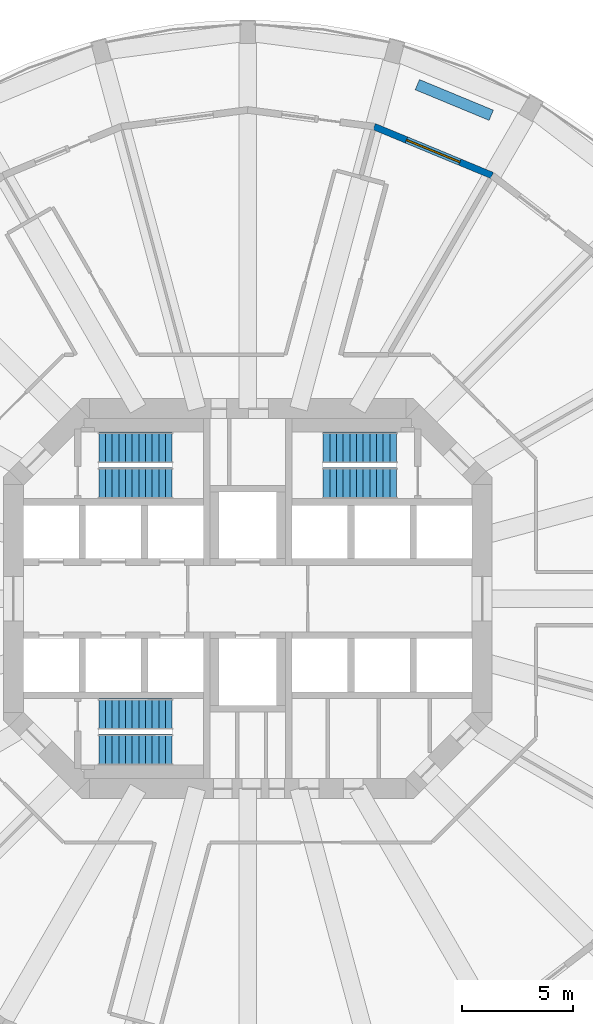
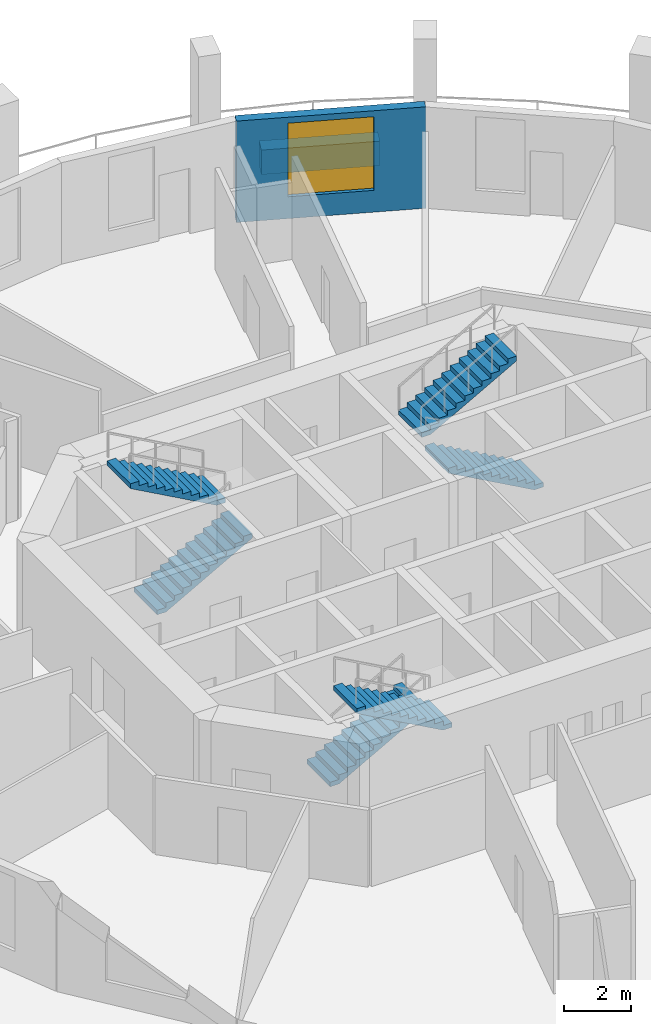
# One storey, part 7 of 9: 6 stair flights, 2 walls, 1 window, 1 opening, 3 elements without a shape of their own.
"""IFC4 building model written with IfcOpenShell, lengths in metres."""

from ifc_helpers import new_model, si_unit, direction, frame, frame_2d, origin, place, context, subcontext, project, spatial, polyline, rectangle, outline, extrude, material, layer, layer_set, type_object, element, fill, aggregate, save


model = new_model("IFC4")

# Units and contexts
model_context = context("Model", 3, precision=1e-05, world=origin(), true_north=direction((0.0, 1.0)))
body_context = subcontext(model_context, "Body", "Model", "MODEL_VIEW")
ifc_project = project(units=[si_unit("LENGTHUNIT", "METRE"), si_unit("AREAUNIT", "SQUARE_METRE"), si_unit("VOLUMEUNIT", "CUBIC_METRE"), si_unit("PLANEANGLEUNIT", "RADIAN"), si_unit("MASSUNIT", "GRAM", prefix="KILO")], contexts=[model_context])

# Site, building, storey
site_placement = place(None, origin())
site = spatial("IfcSite", under=ifc_project, at=site_placement, CompositionType="ELEMENT")
building_placement = place(site_placement, origin())
building = spatial("IfcBuilding", under=site, at=building_placement, Name="Torre Triforio", CompositionType="ELEMENT")
storey_placement = place(building_placement, frame((0.0, 0.0, 98.60009765625)))
storey = spatial("IfcBuildingStorey", under=building, at=storey_placement, Name="L21", CompositionType="ELEMENT", Elevation=98.60009765625)

# Wall
ifc_material_1 = material(Name="Limestone cladding", Category="masonry")
ifc_layer_1 = layer(ifc_material_1, 0.10009765625)
ifc_material_2 = material(Name="Concrete C40", Category="concrete")
ifc_layer_2 = layer(ifc_material_2, 0.39990234375)
ifc_layer_set_1 = layer_set([ifc_layer_1, ifc_layer_2], Name="Limestone cladding / Concrete C40")
wall_type_1 = type_object("IfcWallType", Name="Planter wall 500", PredefinedType="PARAPET", material=ifc_layer_set_1)
wall_1_placement = place(storey_placement, frame((10.962158203125, 21.761474609375, 0.0), z_axis=(0.0, 0.0, 1.0), x_axis=(-0.923875488976, 0.382693194178, 0.0)))
element("IfcWall", 1, at=wall_1_placement, inside=storey, type_object=wall_type_1, Name="Planter L21 bay 05", PredefinedType="PARAPET", context=body_context, shape_type="SweptSolid", body=[
    extrude(rectangle(XDim=3.599853515625, YDim=0.5, at=frame_2d((1.7998046875, 0.0))), origin(), (0.0, 0.0, 1.0), 0.89990234375),
])

# Wall, opening, window
ifc_layer_3 = layer(ifc_material_1, 0.10009765625)
ifc_layer_4 = layer(ifc_material_2, 0.199951171875)
ifc_layer_set_2 = layer_set([ifc_layer_3, ifc_layer_4], Name="Limestone cladding / Concrete C40")
wall_type_2 = type_object("IfcWallType", Name="Stone-faced composite wall 300", PredefinedType="STANDARD", material=ifc_layer_set_2)
wall_2_placement = place(storey_placement, frame((11.0, 19.052490234375, 0.0), z_axis=(0.0, 0.0, 1.0), x_axis=(-0.923866055759, 0.382715966503, 0.0)))
wall_2 = element("IfcWall", 2, at=wall_2_placement, inside=storey, type_object=wall_type_2, Name="External wall L21 bay 05", PredefinedType="STANDARD", context=body_context, shape_type="SweptSolid", body=[
    extrude(rectangle(XDim=5.7431640625, YDim=0.300048828125, at=frame_2d((2.87158203125, 0.0))), origin(), (0.0, 0.0, 1.0), 3.719970703125),
])
opening_placement = place(wall_2_placement, frame((1.571533203125, 0.0, 0.800048828125)))
opening = element("IfcOpeningElement", 3, at=opening_placement, cuts=wall_2, Name="Opening N7-W05", PredefinedType="OPENING", context=body_context, shape_type="SweptSolid", body=[
    extrude(rectangle(XDim=2.60009765625, YDim=2.699951171875, at=frame_2d((1.300048828125, 1.35009765625))), frame((0.0, 0.159912109375, 0.0), z_axis=(0.0, -1.0, 0.0), x_axis=(1.0, 0.0, 0.0)), (0.0, 0.0, 1.0), 0.320068359375),
])
ifc_material_3 = material(Name="Aluminium frame with clear double glazing", Category="aluminium")
window_type = type_object("IfcWindowType", Name="Punched window 2600 x 2700", PartitioningType="DOUBLE_PANEL_VERTICAL", PredefinedType="WINDOW", material=ifc_material_3)
window_placement = place(opening_placement, origin())
window = element("IfcWindow", 4, at=window_placement, inside=storey, type_object=window_type, Name="Window EWN2 L21 bay 05", OverallHeight=2.699951171875, OverallWidth=2.60009765625, PartitioningType="SINGLE_PANEL", PredefinedType="WINDOW", context=body_context, shape_type="SweptSolid", body=[
    extrude(rectangle(XDim=2.60009765625, YDim=2.699951171875, at=frame_2d((1.300048828125, 1.35009765625))), frame((0.0, 0.030029296875, 0.0), z_axis=(0.0, -1.0, 0.0), x_axis=(1.0, 0.0, 0.0)), (0.0, 0.0, 1.0), 0.06005859375),
])
fill(opening, window)

# Stair, stair flights
stair_type = type_object("IfcStairType", Name="STAIR HALF-TURN", PredefinedType="HALF_TURN_STAIR", material=ifc_material_2)
stair_1_placement = place(storey_placement, origin())
stair_1 = element("IfcStair", 5, at=stair_1_placement, inside=storey, type_object=stair_type, Name="Exit stair 1", PredefinedType="HALF_TURN_STAIR")
stair_flight_type = type_object("IfcStairFlightType", Name="STAIR FLIGHT 1400", PredefinedType="STRAIGHT", material=ifc_material_2)
stair_flight_1_placement = place(storey_placement, frame((-6.699951171875, 5.199951171875, 0.0), z_axis=(0.0, 0.0, 1.0), x_axis=(1.0, 0.0, 0.0)))
stair_flight_1 = element("IfcStairFlight", 6, at=stair_flight_1_placement, type_object=stair_flight_type, Name="ST1 flight 1", NumberOfRisers=12, NumberOfTreads=11, PredefinedType="STRAIGHT", RiserHeight=0.166666667, TreadLength=0.3, context=body_context, shape_type="SweptSolid", body=[
    extrude(outline(polyline([(0.0, 0.0), (0.0, 0.166748046875), (0.300048828125, 0.166748046875), (0.300048828125, 0.333251953125), (0.60009765625, 0.333251953125), (0.60009765625, 0.5), (0.89990234375, 0.5), (0.89990234375, 0.666748046875), (1.199951171875, 0.666748046875), (1.199951171875, 0.833251953125), (1.5, 0.833251953125), (1.5, 1.0), (1.800048828125, 1.0), (1.800048828125, 1.166748046875), (2.10009765625, 1.166748046875), (2.10009765625, 1.333251953125), (2.39990234375, 1.333251953125), (2.39990234375, 1.5), (2.699951171875, 1.5), (2.699951171875, 1.666748046875), (3.0, 1.666748046875), (3.0, 1.833251953125), (3.300048828125, 1.833251953125), (3.300048828125, 2.0), (3.300048828125, 1.661865234375), (0.30859375, 0.0), (0.0, 0.0)])), frame((0.0, 0.699951171875, 0.0), z_axis=(0.0, -1.0, 0.0), x_axis=(1.0, 0.0, 0.0)), (0.0, 0.0, 1.0), 1.39990234375),
])
stair_flight_2_placement = place(storey_placement, frame((-3.39990234375, 6.800048828125, 2.0), z_axis=(0.0, 0.0, 1.0), x_axis=(-1.0, 0.0, 0.0)))
stair_flight_2 = element("IfcStairFlight", 7, at=stair_flight_2_placement, type_object=stair_flight_type, Name="ST1 flight 2", NumberOfRisers=12, NumberOfTreads=11, PredefinedType="STRAIGHT", RiserHeight=0.166666667, TreadLength=0.3, context=body_context, shape_type="SweptSolid", body=[
    extrude(outline(polyline([(0.0, 0.0), (0.0, 0.166748046875), (0.300048828125, 0.166748046875), (0.300048828125, 0.333251953125), (0.60009765625, 0.333251953125), (0.60009765625, 0.5), (0.89990234375, 0.5), (0.89990234375, 0.666748046875), (1.199951171875, 0.666748046875), (1.199951171875, 0.833251953125), (1.5, 0.833251953125), (1.5, 1.0), (1.800048828125, 1.0), (1.800048828125, 1.166748046875), (2.10009765625, 1.166748046875), (2.10009765625, 1.333251953125), (2.39990234375, 1.333251953125), (2.39990234375, 1.5), (2.699951171875, 1.5), (2.699951171875, 1.666748046875), (3.0, 1.666748046875), (3.0, 1.833251953125), (3.300048828125, 1.833251953125), (3.300048828125, 2.0), (3.300048828125, 1.661865234375), (0.30859375, 0.0), (0.0, 0.0)])), frame((0.0, 0.699951171875, 0.0), z_axis=(0.0, -1.0, 0.0), x_axis=(1.0, 0.0, 0.0)), (0.0, 0.0, 1.0), 1.39990234375),
])
aggregate(stair_1, [stair_flight_1, stair_flight_2])

stair_2_placement = place(storey_placement, origin())
stair_2 = element("IfcStair", 8, at=stair_2_placement, inside=storey, type_object=stair_type, Name="Exit stair 2", PredefinedType="HALF_TURN_STAIR")
stair_flight_3_placement = place(storey_placement, frame((6.699951171875, 5.199951171875, 0.0), z_axis=(0.0, 0.0, 1.0), x_axis=(-1.0, 0.0, 0.0)))
stair_flight_3 = element("IfcStairFlight", 9, at=stair_flight_3_placement, type_object=stair_flight_type, Name="ST2 flight 1", NumberOfRisers=12, NumberOfTreads=11, PredefinedType="STRAIGHT", RiserHeight=0.166666667, TreadLength=0.3, context=body_context, shape_type="SweptSolid", body=[
    extrude(outline(polyline([(0.0, 0.0), (0.0, 0.166748046875), (0.300048828125, 0.166748046875), (0.300048828125, 0.333251953125), (0.60009765625, 0.333251953125), (0.60009765625, 0.5), (0.89990234375, 0.5), (0.89990234375, 0.666748046875), (1.199951171875, 0.666748046875), (1.199951171875, 0.833251953125), (1.5, 0.833251953125), (1.5, 1.0), (1.800048828125, 1.0), (1.800048828125, 1.166748046875), (2.10009765625, 1.166748046875), (2.10009765625, 1.333251953125), (2.39990234375, 1.333251953125), (2.39990234375, 1.5), (2.699951171875, 1.5), (2.699951171875, 1.666748046875), (3.0, 1.666748046875), (3.0, 1.833251953125), (3.300048828125, 1.833251953125), (3.300048828125, 2.0), (3.300048828125, 1.661865234375), (0.30859375, 0.0), (0.0, 0.0)])), frame((0.0, 0.699951171875, 0.0), z_axis=(0.0, -1.0, 0.0), x_axis=(1.0, 0.0, 0.0)), (0.0, 0.0, 1.0), 1.39990234375),
])
stair_flight_4_placement = place(storey_placement, frame((3.39990234375, 6.800048828125, 2.0), z_axis=(0.0, 0.0, 1.0), x_axis=(1.0, 0.0, 0.0)))
stair_flight_4 = element("IfcStairFlight", 10, at=stair_flight_4_placement, type_object=stair_flight_type, Name="ST2 flight 2", NumberOfRisers=12, NumberOfTreads=11, PredefinedType="STRAIGHT", RiserHeight=0.166666667, TreadLength=0.3, context=body_context, shape_type="SweptSolid", body=[
    extrude(outline(polyline([(0.0, 0.0), (0.0, 0.166748046875), (0.300048828125, 0.166748046875), (0.300048828125, 0.333251953125), (0.60009765625, 0.333251953125), (0.60009765625, 0.5), (0.89990234375, 0.5), (0.89990234375, 0.666748046875), (1.199951171875, 0.666748046875), (1.199951171875, 0.833251953125), (1.5, 0.833251953125), (1.5, 1.0), (1.800048828125, 1.0), (1.800048828125, 1.166748046875), (2.10009765625, 1.166748046875), (2.10009765625, 1.333251953125), (2.39990234375, 1.333251953125), (2.39990234375, 1.5), (2.699951171875, 1.5), (2.699951171875, 1.666748046875), (3.0, 1.666748046875), (3.0, 1.833251953125), (3.300048828125, 1.833251953125), (3.300048828125, 2.0), (3.300048828125, 1.661865234375), (0.30859375, 0.0), (0.0, 0.0)])), frame((0.0, 0.699951171875, 0.0), z_axis=(0.0, -1.0, 0.0), x_axis=(1.0, 0.0, 0.0)), (0.0, 0.0, 1.0), 1.39990234375),
])
aggregate(stair_2, [stair_flight_3, stair_flight_4])

stair_3_placement = place(storey_placement, origin())
stair_3 = element("IfcStair", 11, at=stair_3_placement, inside=storey, type_object=stair_type, Name="Exit stair 3", PredefinedType="HALF_TURN_STAIR")
stair_flight_5_placement = place(storey_placement, frame((-6.699951171875, -5.199951171875, 0.0), z_axis=(0.0, 0.0, 1.0), x_axis=(1.0, 0.0, 0.0)))
stair_flight_5 = element("IfcStairFlight", 12, at=stair_flight_5_placement, type_object=stair_flight_type, Name="ST3 flight 1", NumberOfRisers=12, NumberOfTreads=11, PredefinedType="STRAIGHT", RiserHeight=0.166666667, TreadLength=0.3, context=body_context, shape_type="SweptSolid", body=[
    extrude(outline(polyline([(0.0, 0.0), (0.0, 0.166748046875), (0.300048828125, 0.166748046875), (0.300048828125, 0.333251953125), (0.60009765625, 0.333251953125), (0.60009765625, 0.5), (0.89990234375, 0.5), (0.89990234375, 0.666748046875), (1.199951171875, 0.666748046875), (1.199951171875, 0.833251953125), (1.5, 0.833251953125), (1.5, 1.0), (1.800048828125, 1.0), (1.800048828125, 1.166748046875), (2.10009765625, 1.166748046875), (2.10009765625, 1.333251953125), (2.39990234375, 1.333251953125), (2.39990234375, 1.5), (2.699951171875, 1.5), (2.699951171875, 1.666748046875), (3.0, 1.666748046875), (3.0, 1.833251953125), (3.300048828125, 1.833251953125), (3.300048828125, 2.0), (3.300048828125, 1.661865234375), (0.30859375, 0.0), (0.0, 0.0)])), frame((0.0, 0.699951171875, 0.0), z_axis=(0.0, -1.0, 0.0), x_axis=(1.0, 0.0, 0.0)), (0.0, 0.0, 1.0), 1.39990234375),
])
stair_flight_6_placement = place(storey_placement, frame((-3.39990234375, -6.800048828125, 2.0), z_axis=(0.0, 0.0, 1.0), x_axis=(-1.0, 0.0, 0.0)))
stair_flight_6 = element("IfcStairFlight", 13, at=stair_flight_6_placement, type_object=stair_flight_type, Name="ST3 flight 2", NumberOfRisers=12, NumberOfTreads=11, PredefinedType="STRAIGHT", RiserHeight=0.166666667, TreadLength=0.3, context=body_context, shape_type="SweptSolid", body=[
    extrude(outline(polyline([(0.0, 0.0), (0.0, 0.166748046875), (0.300048828125, 0.166748046875), (0.300048828125, 0.333251953125), (0.60009765625, 0.333251953125), (0.60009765625, 0.5), (0.89990234375, 0.5), (0.89990234375, 0.666748046875), (1.199951171875, 0.666748046875), (1.199951171875, 0.833251953125), (1.5, 0.833251953125), (1.5, 1.0), (1.800048828125, 1.0), (1.800048828125, 1.166748046875), (2.10009765625, 1.166748046875), (2.10009765625, 1.333251953125), (2.39990234375, 1.333251953125), (2.39990234375, 1.5), (2.699951171875, 1.5), (2.699951171875, 1.666748046875), (3.0, 1.666748046875), (3.0, 1.833251953125), (3.300048828125, 1.833251953125), (3.300048828125, 2.0), (3.300048828125, 1.661865234375), (0.30859375, 0.0), (0.0, 0.0)])), frame((0.0, 0.699951171875, 0.0), z_axis=(0.0, -1.0, 0.0), x_axis=(1.0, 0.0, 0.0)), (0.0, 0.0, 1.0), 1.39990234375),
])
aggregate(stair_3, [stair_flight_5, stair_flight_6])

save(model, "model.ifc")
